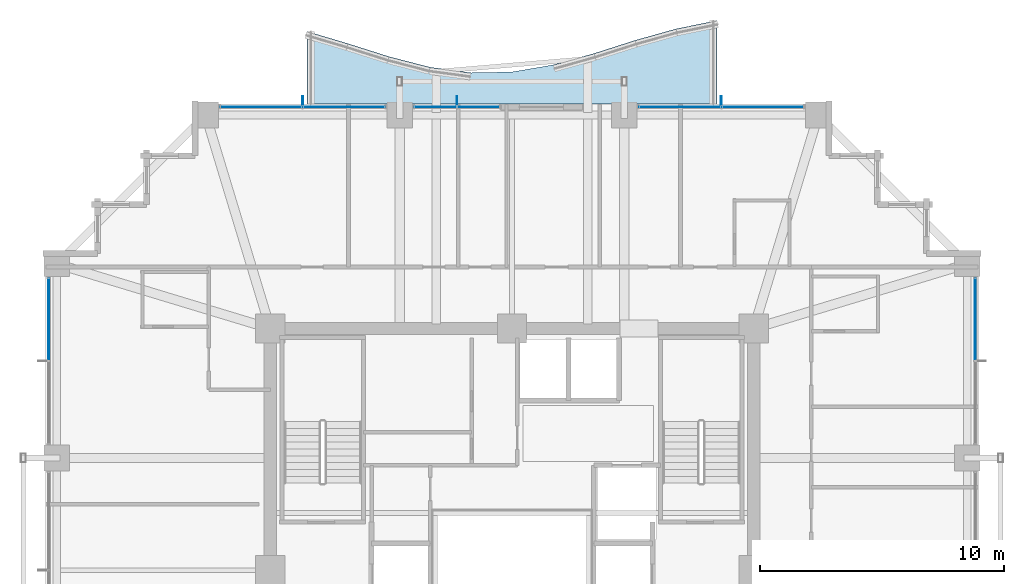
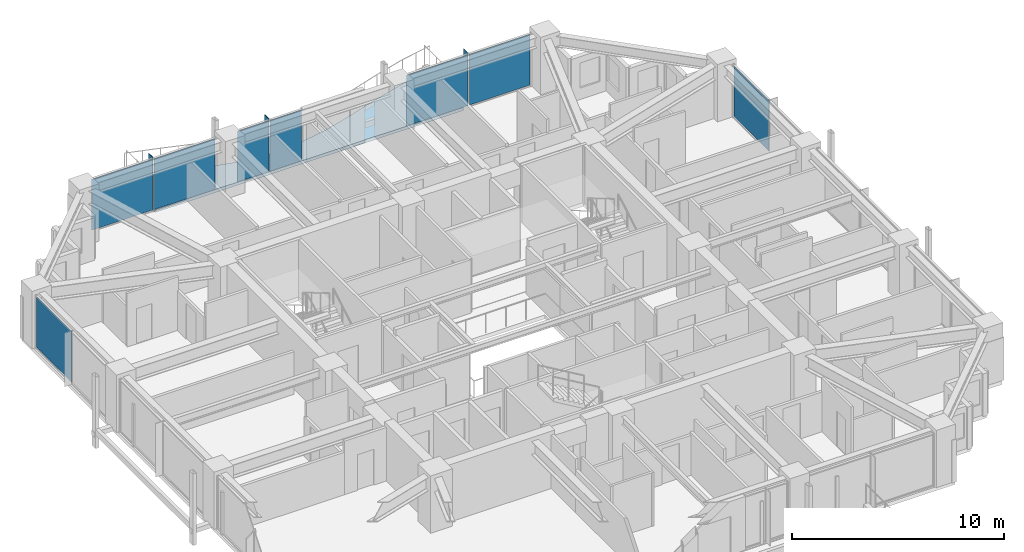
# One storey, part 26 of 34: 11 plates, 1 slab, 5 elements without a shape of their own.
"""IFC4 building model written with IfcOpenShell, lengths in metres."""

import ifcopenshell
import ifcopenshell.guid

model = None  # the IFC model being written
_history = None  # IfcOwnerHistory: only IFC2X3 demands one
_inside = {}  # id of a spatial element -> (the spatial element, [elements in it])
_under = {}  # id of a project, library or spatial element -> (it, [spatial elements below it])
_declared = {}  # id of a project -> (the project, [libraries it declares])
_typed = {}  # id of a type object -> (the type object, [elements of that type])
_made_of = {}  # id of a material, layer set ... -> (it, [elements and type objects made of it])


def new_model(schema):
    """Start an empty IFC model of exactly this schema.

    Asked for "IFC4X3", IfcOpenShell would pick the latest addendum, in which some entities
    have other attributes; the version numbers below select the first issue.
    IFC2X3 requires an IfcOwnerHistory on every rooted entity: one is made here for all.
    """
    global model, _history
    if schema == "IFC4X3":
        model = ifcopenshell.file(schema_version=(4, 3, 0, 0))
    else:
        model = ifcopenshell.file(schema=schema)
    _inside.clear()
    _under.clear()
    _declared.clear()
    _typed.clear()
    _made_of.clear()
    _history = None
    if model.schema == "IFC2X3":
        org = make("IfcOrganization", Name="unknown")
        user = make(
            "IfcPersonAndOrganization",
            ThePerson=make("IfcPerson", FamilyName="unknown"),
            TheOrganization=org,
        )
        app = make(
            "IfcApplication",
            ApplicationDeveloper=org,
            Version="unknown",
            ApplicationFullName="unknown",
            ApplicationIdentifier="unknown",
        )
        _history = make(
            "IfcOwnerHistory",
            OwningUser=user,
            OwningApplication=app,
            ChangeAction="ADDED",
            CreationDate=0,
        )
    return model


def make(cls, **values):
    """One entity of the class cls with the attributes given. An attribute that is None is left unset."""
    return model.create_entity(
        cls, **{name: value for name, value in values.items() if value is not None}
    )


def rooted(cls, **values):
    """An entity with a GlobalId (a new one), such as an element, a storey or a relation."""
    return make(cls, GlobalId=ifcopenshell.guid.new(), OwnerHistory=_history, **values)


def si_unit(unit_type, name, prefix=None):
    """IfcSIUnit, for example si_unit("LENGTHUNIT", "METRE", prefix="MILLI")."""
    return make("IfcSIUnit", UnitType=unit_type, Prefix=prefix, Name=name)


def assignment(units):
    """IfcUnitAssignment: the units of a project."""
    return None if units is None else make("IfcUnitAssignment", Units=units)


def point(xyz):
    """IfcCartesianPoint."""
    return None if xyz is None else make("IfcCartesianPoint", Coordinates=xyz)


def direction(xyz):
    """IfcDirection."""
    return None if xyz is None else make("IfcDirection", DirectionRatios=xyz)


def frame(location, z_axis=None, x_axis=None):
    """IfcAxis2Placement3D, a coordinate frame: its origin and axes. An axis left out is left unset."""
    return make(
        "IfcAxis2Placement3D",
        Location=point(location),
        Axis=direction(z_axis),
        RefDirection=direction(x_axis),
    )


def frame_2d(location, x_axis=None):
    """IfcAxis2Placement2D, a coordinate frame in the plane: its origin and x axis."""
    return make(
        "IfcAxis2Placement2D", Location=point(location), RefDirection=direction(x_axis)
    )


def origin():
    """The frame at (0, 0, 0) with its axes left unset."""
    return frame((0.0, 0.0, 0.0))


def origin_2d():
    """The frame at (0, 0) in the plane with its x axis left unset."""
    return frame_2d((0.0, 0.0))


def place(relative_to, where):
    """IfcLocalPlacement: puts the frame where relative to a parent placement (None: the world)."""
    return make(
        "IfcLocalPlacement", PlacementRelTo=relative_to, RelativePlacement=where
    )


def context(
    kind, dimensions, precision=None, world=None, true_north=None, identifier=None
):
    """IfcGeometricRepresentationContext, for example the 3D "Model" context."""
    return make(
        "IfcGeometricRepresentationContext",
        ContextIdentifier=identifier,
        ContextType=kind,
        CoordinateSpaceDimension=dimensions,
        Precision=precision,
        WorldCoordinateSystem=world,
        TrueNorth=true_north,
    )


def subcontext(parent, identifier, kind, view, scale=None):
    """IfcGeometricRepresentationSubContext, for example "Body" below "Model"."""
    return make(
        "IfcGeometricRepresentationSubContext",
        ContextIdentifier=identifier,
        ContextType=kind,
        ParentContext=parent,
        TargetScale=scale,
        TargetView=view,
    )


def project(units=None, contexts=None):
    """IfcProject with its units and contexts."""
    return rooted(
        "IfcProject",
        Name="project",
        RepresentationContexts=contexts,
        UnitsInContext=assignment(units),
    )


def spatial(cls, under=None, at=None, **own):
    """A site, building, storey or space (cls), placed at a placement, below another one or the project."""
    s = rooted(cls, ObjectPlacement=at, **own)
    if under is not None:
        _under.setdefault(under.id(), (under, []))[1].append(s)
    return s


def polyline(points):
    """IfcPolyline through the points."""
    return make("IfcPolyline", Points=[point(p) for p in points])


def profile(cls, at=None, kind="AREA", **sizes):
    """A parametric profile (cls). Its sizes go by their IFC names, for example OverallWidth=200.0."""
    return make(cls, ProfileType=kind, Position=at, **sizes)


def rectangle(**sizes):
    """IfcRectangleProfileDef."""
    return profile("IfcRectangleProfileDef", **sizes)


def outline(outer, holes=None, kind="AREA"):
    """IfcArbitraryClosedProfileDef: a profile drawn as a closed curve; with holes, ...WithVoids."""
    if holes is None:
        return make("IfcArbitraryClosedProfileDef", ProfileType=kind, OuterCurve=outer)
    return make(
        "IfcArbitraryProfileDefWithVoids",
        ProfileType=kind,
        OuterCurve=outer,
        InnerCurves=holes,
    )


def extrude(swept, where, along, depth):
    """IfcExtrudedAreaSolid: the profile swept, set in the frame where, extruded along a direction by depth."""
    return make(
        "IfcExtrudedAreaSolid",
        SweptArea=swept,
        Position=where,
        ExtrudedDirection=direction(along),
        Depth=depth,
    )


def shape(context_of_items, identifier, shape_type, items):
    """IfcShapeRepresentation: the items that make up one representation, for example the "Body"."""
    return make(
        "IfcShapeRepresentation",
        ContextOfItems=context_of_items,
        RepresentationIdentifier=identifier,
        RepresentationType=shape_type,
        Items=items,
    )


def material(Name=None, Category=None):
    """IfcMaterial."""
    return make("IfcMaterial", Name=Name, Category=Category)


def layer(
    of_material, thickness, ventilated=None, Name=None, Category=None, Priority=None
):
    """IfcMaterialLayer: one layer of a wall or slab, of a material (None: an air gap)."""
    return make(
        "IfcMaterialLayer",
        Material=of_material,
        LayerThickness=thickness,
        IsVentilated=ventilated,
        Name=Name,
        Category=Category,
        Priority=Priority,
    )


def layer_set(layers, Name=None):
    """IfcMaterialLayerSet."""
    return make("IfcMaterialLayerSet", MaterialLayers=layers, LayerSetName=Name)


def made_of(thing, what):
    """Note that an element or type object is made of a material, layer set ...; save() writes the relation."""
    if what is not None:
        _made_of.setdefault(what.id(), (what, []))[1].append(thing)
    return thing


def type_object(cls, material=None, **own):
    """A type object (cls), such as IfcWallType, which elements share."""
    return made_of(rooted(cls, **own), material)


def element(
    cls,
    number,
    at=None,
    inside=None,
    cuts=None,
    type_object=None,
    material=None,
    context=None,
    identifier="Body",
    shape_type=None,
    held_by="IfcProductDefinitionShape",
    body=None,
    shapes=None,
    **own,
):
    """One element of the class cls, such as IfcWall. Its Tag is "e" and its number.

    at: its placement. inside: the storey or other place that contains it. cuts: it is an
    opening in that element (IfcRelVoidsElement). A single representation is given by context,
    identifier, shape_type and body (its items); several are given by shapes. held_by: the class
    of the entity that holds the representations. save() writes the other relations.
    """
    e = rooted(cls, Tag="e%d" % number, ObjectPlacement=at, **own)
    if body is not None:
        shapes = [shape(context, identifier, shape_type, body)]
    if shapes is not None:
        e.Representation = make(held_by, Representations=shapes)
    if inside is not None:
        _inside.setdefault(inside.id(), (inside, []))[1].append(e)
    if cuts is not None:
        rooted(
            "IfcRelVoidsElement", RelatingBuildingElement=cuts, RelatedOpeningElement=e
        )
    if type_object is not None:
        _typed.setdefault(type_object.id(), (type_object, []))[1].append(e)
    return made_of(e, material)


def aggregate(whole, parts):
    """IfcRelAggregates: a whole, such as a stair, and the parts it consists of."""
    return rooted("IfcRelAggregates", RelatingObject=whole, RelatedObjects=parts)


def save(model, path):
    """Write the relations noted so far, then the file.

    IfcRelAggregates (storeys below a building ...), IfcRelContainedInSpatialStructure (elements
    in a storey), IfcRelDefinesByType, IfcRelAssociatesMaterial and IfcRelDeclares: one each for
    every whole, place, type object, material and project.
    """
    for whole, parts in _under.values():
        aggregate(whole, parts)
    for where, things in _inside.values():
        rooted(
            "IfcRelContainedInSpatialStructure",
            RelatedElements=things,
            RelatingStructure=where,
        )
    for kind, things in _typed.values():
        rooted("IfcRelDefinesByType", RelatedObjects=things, RelatingType=kind)
    for what, things in _made_of.values():
        rooted("IfcRelAssociatesMaterial", RelatedObjects=things, RelatingMaterial=what)
    for by, libraries in _declared.values():
        rooted("IfcRelDeclares", RelatingContext=by, RelatedDefinitions=libraries)
    model.write(path)


model = new_model("IFC4")

# Units and contexts
model_context = context("Model", 3, precision=1e-05, world=origin(), true_north=direction((0.0, 1.0)))
body_context = subcontext(model_context, "Body", "Model", "MODEL_VIEW")
ifc_project = project(units=[si_unit("LENGTHUNIT", "METRE"), si_unit("AREAUNIT", "SQUARE_METRE"), si_unit("VOLUMEUNIT", "CUBIC_METRE"), si_unit("PLANEANGLEUNIT", "RADIAN"), si_unit("MASSUNIT", "GRAM", prefix="KILO")], contexts=[model_context])

# Site, building, storey
site_placement = place(None, origin())
site = spatial("IfcSite", under=ifc_project, at=site_placement, CompositionType="ELEMENT")
building_placement = place(site_placement, origin())
building = spatial("IfcBuilding", under=site, at=building_placement, Name="Kolvaren Belvedere", CompositionType="ELEMENT")
storey_placement = place(building_placement, frame((0.0, 0.0, 111.800048828125)))
storey = spatial("IfcBuildingStorey", under=building, at=storey_placement, Name="L32", CompositionType="ELEMENT", Elevation=111.800048828125)

# Curtain wall, plate
ifc_material_1 = material(Name="Anodised pale-metal aluminium AA 6063-T6", Category="aluminium")
curtain_wall_type = type_object("IfcCurtainWallType", Name="CW-Z3-WAIST", PredefinedType="NOTDEFINED", material=ifc_material_1)
curtain_wall_1_placement = place(storey_placement, origin())
curtain_wall_1 = element("IfcCurtainWall", 1, at=curtain_wall_1_placement, inside=storey, type_object=curtain_wall_type, Name="L32 Unitised Curtain Wall FCW-L32-E-B1", PredefinedType="NOTDEFINED")
ifc_material_2 = material(Name="Low-iron triple insulated glass", Category="glass")
ifc_layer_1 = layer(ifc_material_2, 0.028076171875)
ifc_layer_set_1 = layer_set([ifc_layer_1], Name="Low-iron triple insulated glass")
plate_type_1 = type_object("IfcPlateType", Name="CW-PNL-VIS28", PredefinedType="CURTAIN_PANEL", material=ifc_layer_set_1)
plate_1_placement = place(storey_placement, frame((18.97998046875, 10.273681640625, 0.080078125), z_axis=(0.0, 0.0, 1.0), x_axis=(0.0, -1.0, 0.0)))
plate_1 = element("IfcPlate", 2, at=plate_1_placement, type_object=plate_type_1, Name="FCW-L32-E-B1 Vision Glazing Panel 1", PredefinedType="CURTAIN_PANEL", context=body_context, shape_type="SweptSolid", body=[
    extrude(rectangle(XDim=3.3173828125, YDim=0.028076171875, at=origin_2d()), origin(), (0.0, 0.0, 1.0), 2.919921875),
])
aggregate(curtain_wall_1, [plate_1])

# Curtain wall, plates
curtain_wall_2_placement = place(storey_placement, origin())
curtain_wall_2 = element("IfcCurtainWall", 3, at=curtain_wall_2_placement, inside=storey, type_object=curtain_wall_type, Name="L32 Unitised Curtain Wall FCW-L32-N1-B1", PredefinedType="NOTDEFINED")
plate_2_placement = place(storey_placement, frame((-10.273681640625, 18.97998046875, 0.080078125), z_axis=(0.0, 0.0, 1.0), x_axis=(1.0, 0.0, 0.0)))
plate_2 = element("IfcPlate", 4, at=plate_2_placement, type_object=plate_type_1, Name="FCW-L32-N1-B1 Vision Glazing Panel 1", PredefinedType="CURTAIN_PANEL", context=body_context, shape_type="SweptSolid", body=[
    extrude(rectangle(XDim=3.3173828125, YDim=0.028076171875, at=origin_2d()), origin(), (0.0, 0.0, 1.0), 2.919921875),
])
plate_3_placement = place(storey_placement, frame((-6.876220703125, 18.97998046875, 0.080078125), z_axis=(0.0, 0.0, 1.0), x_axis=(1.0, 0.0, 0.0)))
plate_3 = element("IfcPlate", 5, at=plate_3_placement, type_object=plate_type_1, Name="FCW-L32-N1-B1 Vision Glazing Panel 2", PredefinedType="CURTAIN_PANEL", context=body_context, shape_type="SweptSolid", body=[
    extrude(rectangle(XDim=3.3173828125, YDim=0.028076171875, at=origin_2d()), origin(), (0.0, 0.0, 1.0), 2.919921875),
])
aggregate(curtain_wall_2, [plate_2, plate_3])

curtain_wall_3_placement = place(storey_placement, origin())
curtain_wall_3 = element("IfcCurtainWall", 6, at=curtain_wall_3_placement, inside=storey, type_object=curtain_wall_type, Name="L32 Unitised Curtain Wall FCW-L32-N1-B2", PredefinedType="NOTDEFINED")
plate_4_placement = place(storey_placement, frame((-3.136962890625, 18.97998046875, 0.080078125), z_axis=(0.0, 0.0, 1.0), x_axis=(1.0, 0.0, 0.0)))
plate_4 = element("IfcPlate", 7, at=plate_4_placement, type_object=plate_type_1, Name="FCW-L32-N1-B2 Vision Glazing Panel 1", PredefinedType="CURTAIN_PANEL", context=body_context, shape_type="SweptSolid", body=[
    extrude(rectangle(XDim=1.691162109375, YDim=0.028076171875, at=origin_2d()), origin(), (0.0, 0.0, 1.0), 2.919921875),
])
plate_5_placement = place(storey_placement, frame((-1.365478515625, 18.97998046875, 0.080078125), z_axis=(0.0, 0.0, 1.0), x_axis=(1.0, 0.0, 0.0)))
plate_5 = element("IfcPlate", 8, at=plate_5_placement, type_object=plate_type_1, Name="FCW-L32-N1-B2 Vision Glazing Panel 2", PredefinedType="CURTAIN_PANEL", context=body_context, shape_type="SweptSolid", body=[
    extrude(rectangle(XDim=1.691162109375, YDim=0.028076171875, at=origin_2d()), origin(), (0.0, 0.0, 1.0), 2.919921875),
])
aggregate(curtain_wall_3, [plate_4, plate_5])

curtain_wall_4_placement = place(storey_placement, origin())
curtain_wall_4 = element("IfcCurtainWall", 9, at=curtain_wall_4_placement, inside=storey, type_object=curtain_wall_type, Name="L32 Unitised Curtain Wall FCW-L32-N2", PredefinedType="NOTDEFINED")
plate_6_placement = place(storey_placement, frame((6.876220703125, 18.97998046875, 0.080078125), z_axis=(0.0, 0.0, 1.0), x_axis=(1.0, 0.0, 0.0)))
plate_6 = element("IfcPlate", 10, at=plate_6_placement, type_object=plate_type_1, Name="FCW-L32-N2 Vision Glazing Panel 1", PredefinedType="CURTAIN_PANEL", context=body_context, shape_type="SweptSolid", body=[
    extrude(rectangle(XDim=3.3173828125, YDim=0.028076171875, at=origin_2d()), origin(), (0.0, 0.0, 1.0), 2.919921875),
])
plate_7_placement = place(storey_placement, frame((10.273681640625, 18.97998046875, 0.080078125), z_axis=(0.0, 0.0, 1.0), x_axis=(1.0, 0.0, 0.0)))
plate_7 = element("IfcPlate", 11, at=plate_7_placement, type_object=plate_type_1, Name="FCW-L32-N2 Vision Glazing Panel 2", PredefinedType="CURTAIN_PANEL", context=body_context, shape_type="SweptSolid", body=[
    extrude(rectangle(XDim=3.3173828125, YDim=0.028076171875, at=origin_2d()), origin(), (0.0, 0.0, 1.0), 2.919921875),
])
aggregate(curtain_wall_4, [plate_6, plate_7])

# Curtain wall, plate
curtain_wall_5_placement = place(storey_placement, origin())
curtain_wall_5 = element("IfcCurtainWall", 12, at=curtain_wall_5_placement, inside=storey, type_object=curtain_wall_type, Name="L32 Unitised Curtain Wall FCW-L32-W-B3", PredefinedType="NOTDEFINED")
plate_8_placement = place(storey_placement, frame((-18.97998046875, 10.273681640625, 0.080078125), z_axis=(0.0, 0.0, 1.0), x_axis=(0.0, 1.0, 0.0)))
plate_8 = element("IfcPlate", 13, at=plate_8_placement, type_object=plate_type_1, Name="FCW-L32-W-B3 Vision Glazing Panel 2", PredefinedType="CURTAIN_PANEL", context=body_context, shape_type="SweptSolid", body=[
    extrude(rectangle(XDim=3.3173828125, YDim=0.028076171875, at=origin_2d()), origin(), (0.0, 0.0, 1.0), 2.919921875),
])
aggregate(curtain_wall_5, [plate_8])

# Plates
ifc_material_3 = material(Name="Anodised pale-metal aluminium AA 6063-T6", Category="aluminium")
ifc_layer_2 = layer(ifc_material_3, 0.033935546875)
ifc_layer_set_2 = layer_set([ifc_layer_2], Name="Anodised pale-metal aluminium AA 6063-T6")
plate_type_2 = type_object("IfcPlateType", Name="FIN-VERT-380", PredefinedType="USERDEFINED", material=ifc_layer_set_2)
for number, where, z_axis, x_axis, name in (
    (14, (-8.574951171875, 19.219970703125, 0.0), (0.0, 0.0, 1.0), (0.0, 1.0, 0.0), "L32 Pale-Metal Vertical Shading Fin FCW-L32-N1-B1-1"),
    (15, (-2.251220703125, 19.219970703125, 0.0), (0.0, 0.0, 1.0), (0.0, 1.0, 0.0), "L32 Pale-Metal Vertical Shading Fin FCW-L32-N1-B2-1"),
    (16, (8.574951171875, 19.219970703125, 0.0), (0.0, 0.0, 1.0), (0.0, 1.0, 0.0), "L32 Pale-Metal Vertical Shading Fin FCW-L32-N2-1"),
):
    element("IfcPlate", number, at=place(storey_placement, frame(where, z_axis=z_axis, x_axis=x_axis)), inside=storey, type_object=plate_type_2, Name=name, ObjectType="VERTICAL FIN", PredefinedType="USERDEFINED", context=body_context, shape_type="SweptSolid", body=[
        extrude(rectangle(XDim=0.3798828125, YDim=0.033935546875, at=origin_2d()), origin(), (0.0, 0.0, 1.0), 3.080078125),
    ])

# Slab
ifc_material_4 = material(Name="Concrete C50/60", Category="concrete")
ifc_layer_3 = layer(ifc_material_4, 0.179931640625)
ifc_layer_set_3 = layer_set([ifc_layer_3], Name="Concrete C50/60")
slab_type = type_object("IfcSlabType", Name="SL-BAL-180", PredefinedType="FLOOR", material=ifc_layer_set_3)
slab_placement = place(storey_placement, frame((0.0, 0.0, -0.219970703125)))
element("IfcSlab", 17, at=slab_placement, inside=storey, type_object=slab_type, Name="L32 Planted Balcony BAL-N", PredefinedType="FLOOR", context=body_context, shape_type="SweptSolid", body=[
    extrude(outline(polyline([(-8.39990234375, 19.10009765625), (-6.719970703125, 19.10009765625), (-5.0400390625, 19.10009765625), (-3.360107421875, 19.10009765625), (-1.679931640625, 19.10009765625), (0.0, 19.10009765625), (1.679931640625, 19.10009765625), (3.360107421875, 19.10009765625), (5.0400390625, 19.10009765625), (6.719970703125, 19.10009765625), (8.39990234375, 19.10009765625), (8.39990234375, 22.52001953125), (6.719970703125, 22.17919921875), (5.0400390625, 21.70849609375), (3.360107421875, 21.17138671875), (1.679931640625, 20.70068359375), (0.0, 20.412841796875), (-1.679931640625, 20.379150390625), (-3.360107421875, 20.60791015625), (-5.0400390625, 21.04248046875), (-6.719970703125, 21.575439453125), (-8.39990234375, 22.07470703125), (-8.39990234375, 19.10009765625)])), origin(), (0.0, 0.0, 1.0), 0.179931640625),
])

save(model, "model.ifc")
